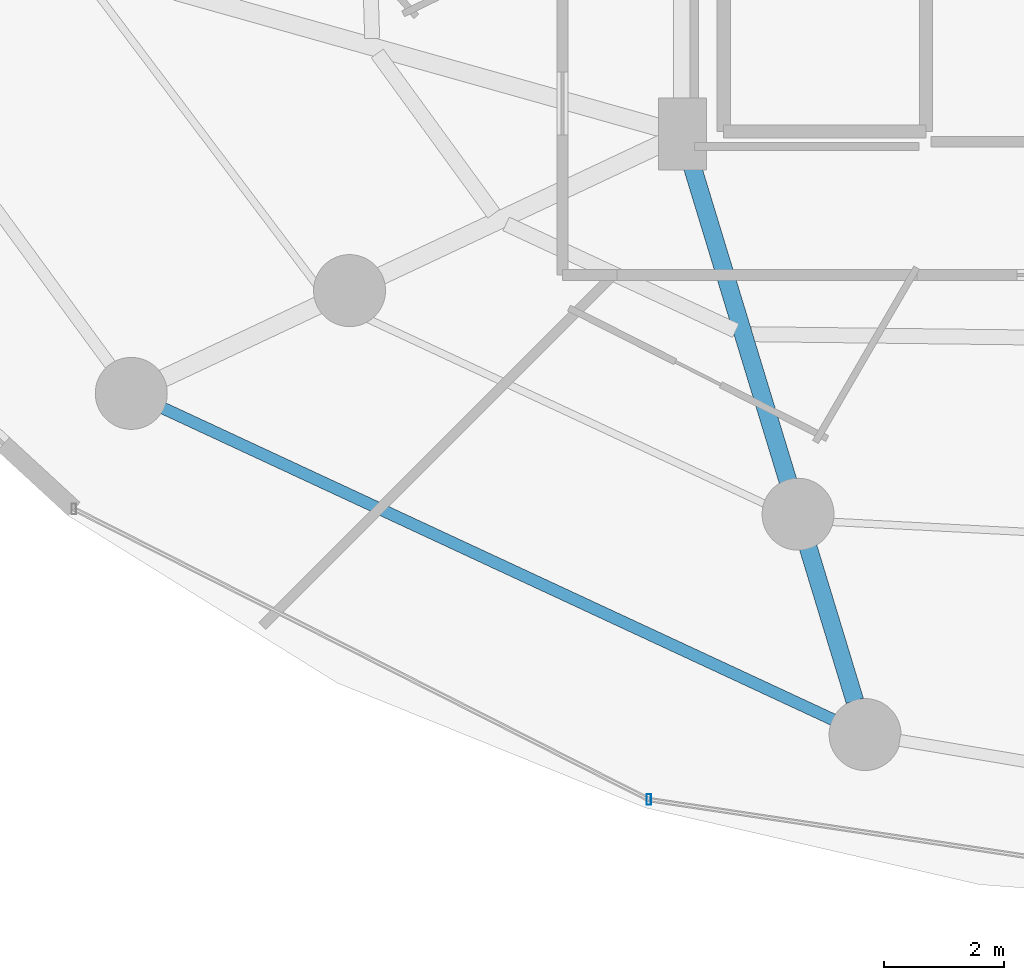
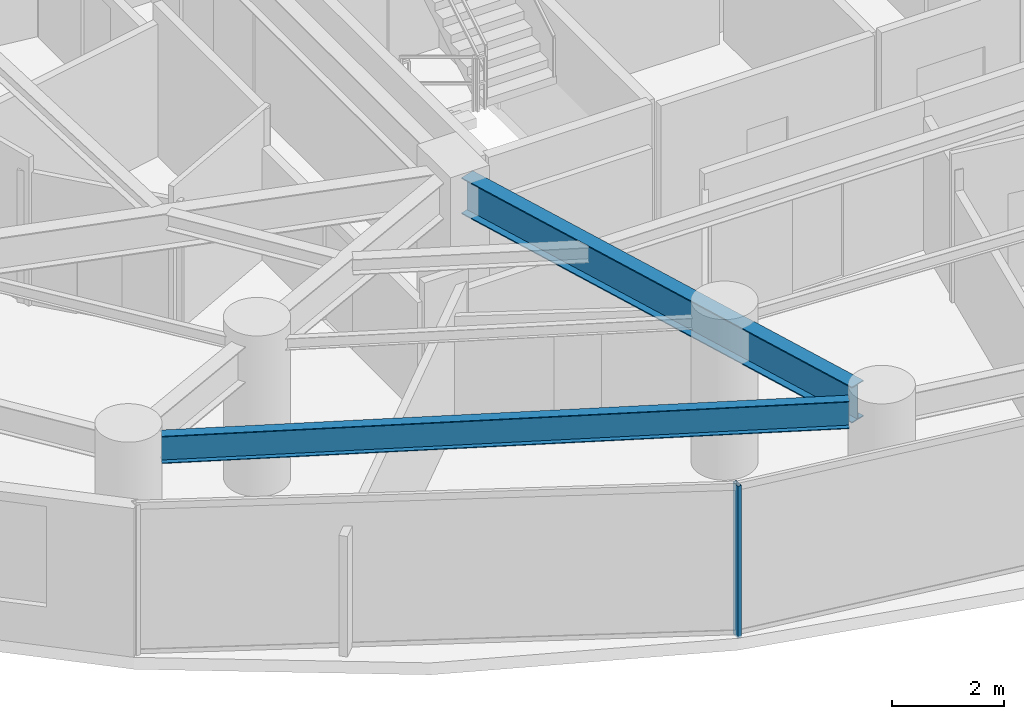
# One storey, part 5 of 35: 2 beams, 1 member, 1 element without a shape of its own.
"""IFC4 building model written with IfcOpenShell, lengths in metres."""

from ifc_helpers import new_model, si_unit, direction, frame, origin, origin_2d, place, context, subcontext, project, spatial, hollow_rectangle, i_section, extrude, material, material_profile, profile_set, type_object, element, aggregate, save


model = new_model("IFC4")

# Units and contexts
model_context = context("Model", 3, precision=1e-05, world=origin(), true_north=direction((0.0, 1.0)))
body_context = subcontext(model_context, "Body", "Model", "MODEL_VIEW")
ifc_project = project(units=[si_unit("LENGTHUNIT", "METRE"), si_unit("AREAUNIT", "SQUARE_METRE"), si_unit("VOLUMEUNIT", "CUBIC_METRE"), si_unit("PLANEANGLEUNIT", "RADIAN"), si_unit("MASSUNIT", "GRAM", prefix="KILO")], contexts=[model_context])

# Site, building, storey
site_placement = place(None, origin())
site = spatial("IfcSite", under=ifc_project, at=site_placement, CompositionType="ELEMENT")
building_placement = place(site_placement, origin())
building = spatial("IfcBuilding", under=site, at=building_placement, Name="Vorneva Point Tower", CompositionType="ELEMENT")
storey_placement = place(building_placement, frame((0.0, 0.0, 52.0)))
storey = spatial("IfcBuildingStorey", under=building, at=storey_placement, Name="L13", CompositionType="ELEMENT", Elevation=52.0)

# Beams
ifc_material_1 = material(Name="Steel S355", Category="steel")
ifc_material_profile_1 = material_profile(ifc_material_1, i_section(OverallWidth=0.300048828125, OverallDepth=0.7880859375, WebThickness=0.014404296875, FlangeThickness=0.02197265625, at=origin_2d()), Name="80Sh1")
ifc_profile_set_1 = profile_set([ifc_material_profile_1], Name="Steel S355")
beam_type_1 = type_object("IfcBeamType", Name="BM-GRD-80Sh1", PredefinedType="USERDEFINED", material=ifc_profile_set_1)
beam_1_placement = place(storey_placement, frame((30.125732421875, 6.997802734375, 2.845947265625), z_axis=(-0.29105061459, 0.956707656365, 0.0), x_axis=(-0.956707656365, -0.29105061459, 0.0)))
element("IfcBeam", 1, at=beam_1_placement, inside=storey, type_object=beam_type_1, Name="L13 Radial Primary Girder 12", ObjectType="GIRDER", PredefinedType="USERDEFINED", context=body_context, shape_type="SweptSolid", body=[
    extrude(i_section(OverallWidth=0.300048828125, OverallDepth=0.7880859375, WebThickness=0.014404296875, FlangeThickness=0.02197265625, at=origin_2d()), origin(), (0.0, 0.0, 1.0), 9.5400390625),
])
ifc_material_profile_2 = material_profile(ifc_material_1, i_section(OverallWidth=0.198974609375, OverallDepth=0.595947265625, WebThickness=0.010009765625, FlangeThickness=0.014892578125, at=origin_2d()), Name="60B1")
ifc_profile_set_2 = profile_set([ifc_material_profile_2], Name="Steel S355")
beam_type_2 = type_object("IfcBeamType", Name="BM-SPN-60B1", PredefinedType="SPANDREL", material=ifc_profile_set_2)
beam_2_placement = place(storey_placement, frame((18.591796875, 11.877685546875, 2.94189453125), z_axis=(0.906772901024, -0.421619385191, 0.0), x_axis=(0.421619385191, 0.906772901024, 0.0)))
element("IfcBeam", 2, at=beam_2_placement, inside=storey, type_object=beam_type_2, Name="L13 Perimeter Spandrel Ring Beam 11", PredefinedType="SPANDREL", context=body_context, shape_type="SweptSolid", body=[
    extrude(i_section(OverallWidth=0.198974609375, OverallDepth=0.595947265625, WebThickness=0.010009765625, FlangeThickness=0.014892578125, at=origin_2d()), origin(), (0.0, 0.0, 1.0), 12.323486328125),
])

# Curtain wall, member
ifc_material_2 = material(Name="Pale anodised aluminium", Category="aluminium")
curtain_wall_type = type_object("IfcCurtainWallType", Name="CW-HTL-SYS", PredefinedType="NOTDEFINED", material=ifc_material_2)
curtain_wall_placement = place(storey_placement, origin())
curtain_wall = element("IfcCurtainWall", 3, at=curtain_wall_placement, inside=storey, type_object=curtain_wall_type, Name="L13 Unitised Curtain Wall CW-L13-R04", PredefinedType="NOTDEFINED")
ifc_material_profile_3 = material_profile(ifc_material_2, hollow_rectangle(XDim=0.074951171875, YDim=0.179931640625, WallThickness=0.00390625, at=origin_2d()), Name="AL-MUL 180x75x4")
ifc_profile_set_3 = profile_set([ifc_material_profile_3], Name="Pale anodised aluminium")
member_type = type_object("IfcMemberType", Name="CW-MUL-180", PredefinedType="MULLION", material=ifc_profile_set_3)
member_placement = place(storey_placement, frame((26.691650390625, 5.351318359375, -0.0400390625), z_axis=(0.0, 0.0, 1.0), x_axis=(1.0, 0.0, 0.0)))
member = element("IfcMember", 4, at=member_placement, type_object=member_type, Name="CW-L13-R04 Mullion 02", PredefinedType="MULLION", context=body_context, shape_type="SweptSolid", body=[
    extrude(hollow_rectangle(XDim=0.074951171875, YDim=0.179931640625, WallThickness=0.00390625, at=origin_2d()), origin(), (0.0, 0.0, 1.0), 3.31005859375),
])
aggregate(curtain_wall, [member])

save(model, "model.ifc")
